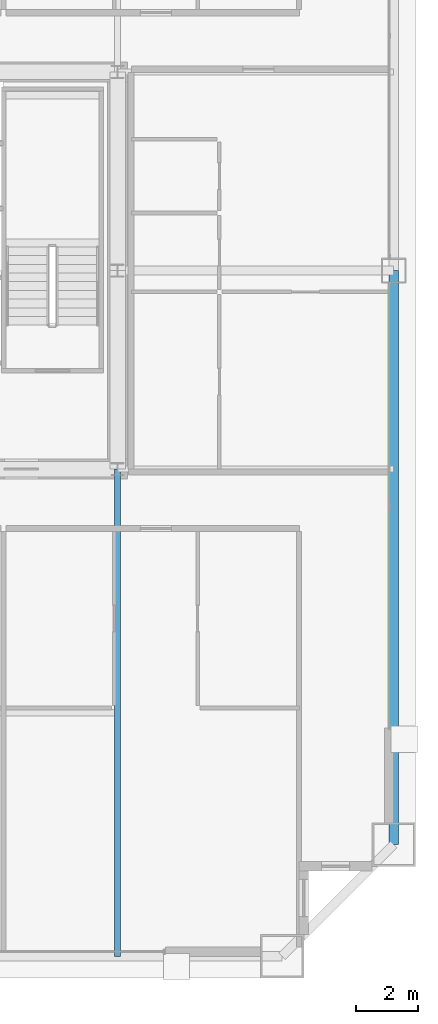
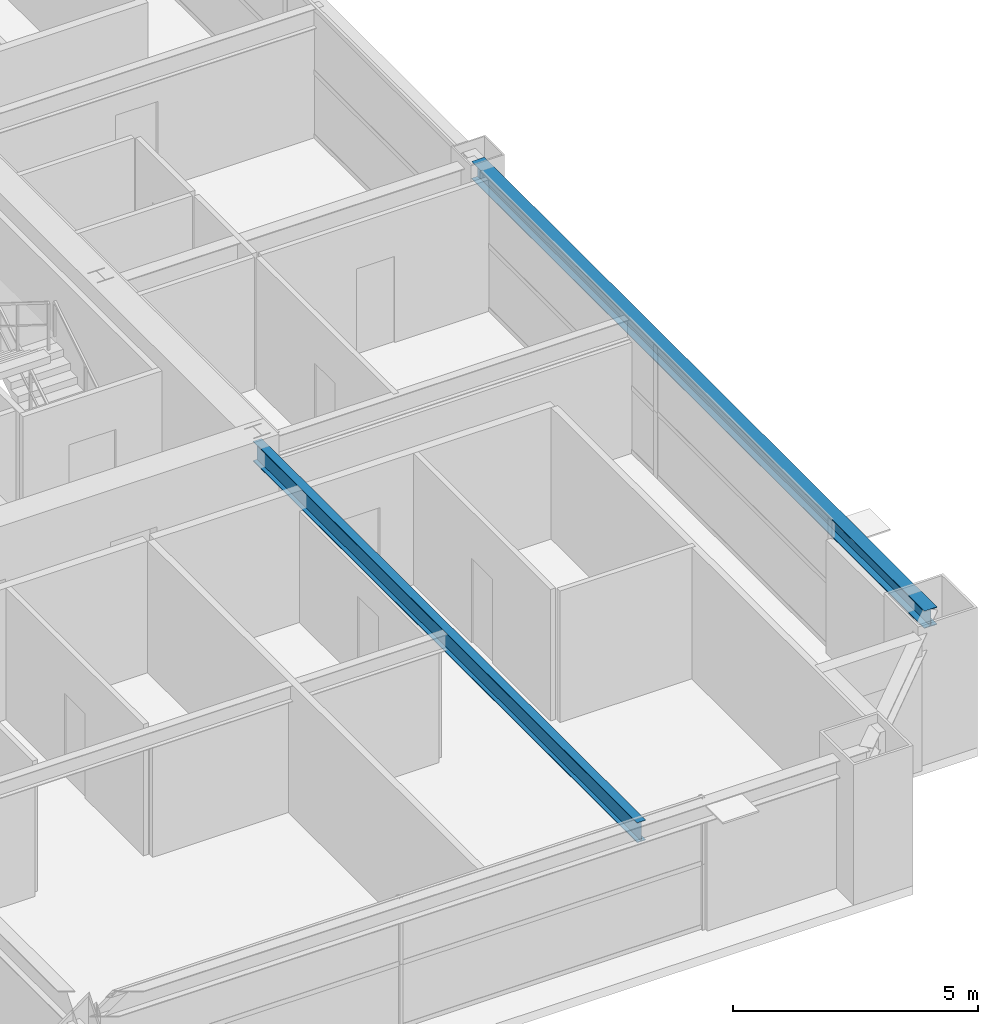
# One storey, part 17 of 38: 2 beams.
"""IFC4 building model written with IfcOpenShell, lengths in metres."""

import ifcopenshell
import ifcopenshell.guid

model = None  # the IFC model being written
_history = None  # IfcOwnerHistory: only IFC2X3 demands one
_inside = {}  # id of a spatial element -> (the spatial element, [elements in it])
_under = {}  # id of a project, library or spatial element -> (it, [spatial elements below it])
_declared = {}  # id of a project -> (the project, [libraries it declares])
_typed = {}  # id of a type object -> (the type object, [elements of that type])
_made_of = {}  # id of a material, layer set ... -> (it, [elements and type objects made of it])


def new_model(schema):
    """Start an empty IFC model of exactly this schema.

    Asked for "IFC4X3", IfcOpenShell would pick the latest addendum, in which some entities
    have other attributes; the version numbers below select the first issue.
    IFC2X3 requires an IfcOwnerHistory on every rooted entity: one is made here for all.
    """
    global model, _history
    if schema == "IFC4X3":
        model = ifcopenshell.file(schema_version=(4, 3, 0, 0))
    else:
        model = ifcopenshell.file(schema=schema)
    _inside.clear()
    _under.clear()
    _declared.clear()
    _typed.clear()
    _made_of.clear()
    _history = None
    if model.schema == "IFC2X3":
        org = make("IfcOrganization", Name="unknown")
        user = make(
            "IfcPersonAndOrganization",
            ThePerson=make("IfcPerson", FamilyName="unknown"),
            TheOrganization=org,
        )
        app = make(
            "IfcApplication",
            ApplicationDeveloper=org,
            Version="unknown",
            ApplicationFullName="unknown",
            ApplicationIdentifier="unknown",
        )
        _history = make(
            "IfcOwnerHistory",
            OwningUser=user,
            OwningApplication=app,
            ChangeAction="ADDED",
            CreationDate=0,
        )
    return model


def make(cls, **values):
    """One entity of the class cls with the attributes given. An attribute that is None is left unset."""
    return model.create_entity(
        cls, **{name: value for name, value in values.items() if value is not None}
    )


def rooted(cls, **values):
    """An entity with a GlobalId (a new one), such as an element, a storey or a relation."""
    return make(cls, GlobalId=ifcopenshell.guid.new(), OwnerHistory=_history, **values)


def si_unit(unit_type, name, prefix=None):
    """IfcSIUnit, for example si_unit("LENGTHUNIT", "METRE", prefix="MILLI")."""
    return make("IfcSIUnit", UnitType=unit_type, Prefix=prefix, Name=name)


def assignment(units):
    """IfcUnitAssignment: the units of a project."""
    return None if units is None else make("IfcUnitAssignment", Units=units)


def point(xyz):
    """IfcCartesianPoint."""
    return None if xyz is None else make("IfcCartesianPoint", Coordinates=xyz)


def direction(xyz):
    """IfcDirection."""
    return None if xyz is None else make("IfcDirection", DirectionRatios=xyz)


def frame(location, z_axis=None, x_axis=None):
    """IfcAxis2Placement3D, a coordinate frame: its origin and axes. An axis left out is left unset."""
    return make(
        "IfcAxis2Placement3D",
        Location=point(location),
        Axis=direction(z_axis),
        RefDirection=direction(x_axis),
    )


def frame_2d(location, x_axis=None):
    """IfcAxis2Placement2D, a coordinate frame in the plane: its origin and x axis."""
    return make(
        "IfcAxis2Placement2D", Location=point(location), RefDirection=direction(x_axis)
    )


def origin():
    """The frame at (0, 0, 0) with its axes left unset."""
    return frame((0.0, 0.0, 0.0))


def origin_2d():
    """The frame at (0, 0) in the plane with its x axis left unset."""
    return frame_2d((0.0, 0.0))


def place(relative_to, where):
    """IfcLocalPlacement: puts the frame where relative to a parent placement (None: the world)."""
    return make(
        "IfcLocalPlacement", PlacementRelTo=relative_to, RelativePlacement=where
    )


def context(
    kind, dimensions, precision=None, world=None, true_north=None, identifier=None
):
    """IfcGeometricRepresentationContext, for example the 3D "Model" context."""
    return make(
        "IfcGeometricRepresentationContext",
        ContextIdentifier=identifier,
        ContextType=kind,
        CoordinateSpaceDimension=dimensions,
        Precision=precision,
        WorldCoordinateSystem=world,
        TrueNorth=true_north,
    )


def subcontext(parent, identifier, kind, view, scale=None):
    """IfcGeometricRepresentationSubContext, for example "Body" below "Model"."""
    return make(
        "IfcGeometricRepresentationSubContext",
        ContextIdentifier=identifier,
        ContextType=kind,
        ParentContext=parent,
        TargetScale=scale,
        TargetView=view,
    )


def project(units=None, contexts=None):
    """IfcProject with its units and contexts."""
    return rooted(
        "IfcProject",
        Name="project",
        RepresentationContexts=contexts,
        UnitsInContext=assignment(units),
    )


def spatial(cls, under=None, at=None, **own):
    """A site, building, storey or space (cls), placed at a placement, below another one or the project."""
    s = rooted(cls, ObjectPlacement=at, **own)
    if under is not None:
        _under.setdefault(under.id(), (under, []))[1].append(s)
    return s


def profile(cls, at=None, kind="AREA", **sizes):
    """A parametric profile (cls). Its sizes go by their IFC names, for example OverallWidth=200.0."""
    return make(cls, ProfileType=kind, Position=at, **sizes)


def i_section(**sizes):
    """IfcIShapeProfileDef."""
    return profile("IfcIShapeProfileDef", **sizes)


def extrude(swept, where, along, depth):
    """IfcExtrudedAreaSolid: the profile swept, set in the frame where, extruded along a direction by depth."""
    return make(
        "IfcExtrudedAreaSolid",
        SweptArea=swept,
        Position=where,
        ExtrudedDirection=direction(along),
        Depth=depth,
    )


def shape(context_of_items, identifier, shape_type, items):
    """IfcShapeRepresentation: the items that make up one representation, for example the "Body"."""
    return make(
        "IfcShapeRepresentation",
        ContextOfItems=context_of_items,
        RepresentationIdentifier=identifier,
        RepresentationType=shape_type,
        Items=items,
    )


def source(mapping_origin, context_of_items, identifier, shape_type, items):
    """IfcRepresentationMap: a shape defined once, which mapped items show again and again."""
    return make(
        "IfcRepresentationMap",
        MappingOrigin=mapping_origin,
        MappedRepresentation=shape(context_of_items, identifier, shape_type, items),
    )


def transform(
    local_origin,
    x_axis=None,
    y_axis=None,
    z_axis=None,
    scale=None,
    scale2=None,
    scale3=None,
    uniform=True,
):
    """IfcCartesianTransformationOperator3D, or its non-uniform kind. x_axis, y_axis, z_axis: its Axis1, 2, 3."""
    if uniform:
        return make(
            "IfcCartesianTransformationOperator3D",
            Axis1=direction(x_axis),
            Axis2=direction(y_axis),
            LocalOrigin=point(local_origin),
            Scale=scale,
            Axis3=direction(z_axis),
        )
    return make(
        "IfcCartesianTransformationOperator3DnonUniform",
        Axis1=direction(x_axis),
        Axis2=direction(y_axis),
        LocalOrigin=point(local_origin),
        Scale=scale,
        Axis3=direction(z_axis),
        Scale2=scale2,
        Scale3=scale3,
    )


def mapped(mapping_source, mapping_target):
    """IfcMappedItem: shows the shape of a source again, moved by a transform."""
    return make(
        "IfcMappedItem", MappingSource=mapping_source, MappingTarget=mapping_target
    )


def material(Name=None, Category=None):
    """IfcMaterial."""
    return make("IfcMaterial", Name=Name, Category=Category)


def material_profile(
    of_material, cross_section, Name=None, Category=None, Priority=None
):
    """IfcMaterialProfile: a cross section and its material."""
    return make(
        "IfcMaterialProfile",
        Name=Name,
        Material=of_material,
        Profile=cross_section,
        Priority=Priority,
        Category=Category,
    )


def profile_set(profiles, Name=None, composite=None):
    """IfcMaterialProfileSet."""
    return make(
        "IfcMaterialProfileSet",
        Name=Name,
        MaterialProfiles=profiles,
        CompositeProfile=composite,
    )


def made_of(thing, what):
    """Note that an element or type object is made of a material, layer set ...; save() writes the relation."""
    if what is not None:
        _made_of.setdefault(what.id(), (what, []))[1].append(thing)
    return thing


def type_object(cls, material=None, **own):
    """A type object (cls), such as IfcWallType, which elements share."""
    return made_of(rooted(cls, **own), material)


def element(
    cls,
    number,
    at=None,
    inside=None,
    cuts=None,
    type_object=None,
    material=None,
    context=None,
    identifier="Body",
    shape_type=None,
    held_by="IfcProductDefinitionShape",
    body=None,
    shapes=None,
    **own,
):
    """One element of the class cls, such as IfcWall. Its Tag is "e" and its number.

    at: its placement. inside: the storey or other place that contains it. cuts: it is an
    opening in that element (IfcRelVoidsElement). A single representation is given by context,
    identifier, shape_type and body (its items); several are given by shapes. held_by: the class
    of the entity that holds the representations. save() writes the other relations.
    """
    e = rooted(cls, Tag="e%d" % number, ObjectPlacement=at, **own)
    if body is not None:
        shapes = [shape(context, identifier, shape_type, body)]
    if shapes is not None:
        e.Representation = make(held_by, Representations=shapes)
    if inside is not None:
        _inside.setdefault(inside.id(), (inside, []))[1].append(e)
    if cuts is not None:
        rooted(
            "IfcRelVoidsElement", RelatingBuildingElement=cuts, RelatedOpeningElement=e
        )
    if type_object is not None:
        _typed.setdefault(type_object.id(), (type_object, []))[1].append(e)
    return made_of(e, material)


def aggregate(whole, parts):
    """IfcRelAggregates: a whole, such as a stair, and the parts it consists of."""
    return rooted("IfcRelAggregates", RelatingObject=whole, RelatedObjects=parts)


def save(model, path):
    """Write the relations noted so far, then the file.

    IfcRelAggregates (storeys below a building ...), IfcRelContainedInSpatialStructure (elements
    in a storey), IfcRelDefinesByType, IfcRelAssociatesMaterial and IfcRelDeclares: one each for
    every whole, place, type object, material and project.
    """
    for whole, parts in _under.values():
        aggregate(whole, parts)
    for where, things in _inside.values():
        rooted(
            "IfcRelContainedInSpatialStructure",
            RelatedElements=things,
            RelatingStructure=where,
        )
    for kind, things in _typed.values():
        rooted("IfcRelDefinesByType", RelatedObjects=things, RelatingType=kind)
    for what, things in _made_of.values():
        rooted("IfcRelAssociatesMaterial", RelatedObjects=things, RelatingMaterial=what)
    for by, libraries in _declared.values():
        rooted("IfcRelDeclares", RelatingContext=by, RelatedDefinitions=libraries)
    model.write(path)


model = new_model("IFC4")

# Units and contexts
model_context = context("Model", 3, precision=1e-05, world=origin(), true_north=direction((0.0, 1.0)))
body_context = subcontext(model_context, "Body", "Model", "MODEL_VIEW")
ifc_project = project(units=[si_unit("LENGTHUNIT", "METRE"), si_unit("AREAUNIT", "SQUARE_METRE"), si_unit("VOLUMEUNIT", "CUBIC_METRE"), si_unit("PLANEANGLEUNIT", "RADIAN"), si_unit("MASSUNIT", "GRAM", prefix="KILO"), si_unit("THERMODYNAMICTEMPERATUREUNIT", "KELVIN"), si_unit("POWERUNIT", "WATT")], contexts=[model_context])

# Site, building, storey
site_placement = place(None, origin())
site = spatial("IfcSite", under=ifc_project, at=site_placement, CompositionType="ELEMENT")
building_placement = place(site_placement, origin())
building = spatial("IfcBuilding", under=site, at=building_placement, Name="Yuzanri Waterfront Tower", CompositionType="ELEMENT")
storey_placement = place(building_placement, frame((0.0, 0.0, 181.0)))
storey = spatial("IfcBuildingStorey", under=building, at=storey_placement, Name="L47", CompositionType="ELEMENT", Elevation=181.0)

# Beams
ifc_material_1 = material(Name="Steel Q355B", Category="steel")
ifc_material_profile_1 = material_profile(ifc_material_1, i_section(OverallWidth=0.300048828125, OverallDepth=0.43994140625, WebThickness=0.010986328125, FlangeThickness=0.01806640625, at=origin_2d()), Name="HM 440x300x11x18")
ifc_profile_set_1 = profile_set([ifc_material_profile_1], Name="Steel Q355B")
beam_type_1 = type_object("IfcBeamType", Name="Perimeter Spandrel Q355B HM 440x300", PredefinedType="SPANDREL", material=ifc_profile_set_1)
shared_shape_1 = source(origin(), body_context, "Body", "SweptSolid", [
    extrude(i_section(OverallWidth=0.300048828125, OverallDepth=0.43994140625, WebThickness=0.010986328125, FlangeThickness=0.01806640625, at=origin_2d()), origin(), (0.0, 0.0, 1.0), 18.5),
])
beam_1_placement = place(storey_placement, frame((59.10009765625, 7.300048828125, 3.06005859375), z_axis=(0.0, 1.0, 0.0), x_axis=(-1.0, 0.0, 0.0)))
element("IfcBeam", 1, at=beam_1_placement, inside=storey, type_object=beam_type_1, Name="L47 Perimeter Spandrel E1-E2", PredefinedType="SPANDREL", context=body_context, shape_type="MappedRepresentation", body=[
    mapped(shared_shape_1, transform((0.0, 0.0, 0.0), scale=1.0)),
])
ifc_material_2 = material(Name="Steel Q355B", Category="steel")
ifc_material_profile_2 = material_profile(ifc_material_2, i_section(OverallWidth=0.199951171875, OverallDepth=0.5, WebThickness=0.010009765625, FlangeThickness=0.01611328125, at=origin_2d()), Name="HN 500x200x10x16")
ifc_profile_set_2 = profile_set([ifc_material_profile_2], Name="Steel Q355B")
beam_type_2 = type_object("IfcBeamType", Name="Secondary Floor Beam Q355B HN 500x200", PredefinedType="BEAM", material=ifc_profile_set_2)
shared_shape_2 = source(origin(), body_context, "Body", "SweptSolid", [
    extrude(i_section(OverallWidth=0.199951171875, OverallDepth=0.5, WebThickness=0.010009765625, FlangeThickness=0.01611328125, at=origin_2d()), origin(), (0.0, 0.0, 1.0), 15.699951171875),
])
beam_2_placement = place(storey_placement, frame((50.199951171875, 19.39990234375, 3.030029296875), z_axis=(0.0, -1.0, 0.0), x_axis=(1.0, 0.0, 0.0)))
element("IfcBeam", 2, at=beam_2_placement, inside=storey, type_object=beam_type_2, Name="L47 South-East Core Line Beam", PredefinedType="BEAM", context=body_context, shape_type="MappedRepresentation", body=[
    mapped(shared_shape_2, transform((0.0, 0.0, 0.0), scale=1.0)),
])

save(model, "model.ifc")
